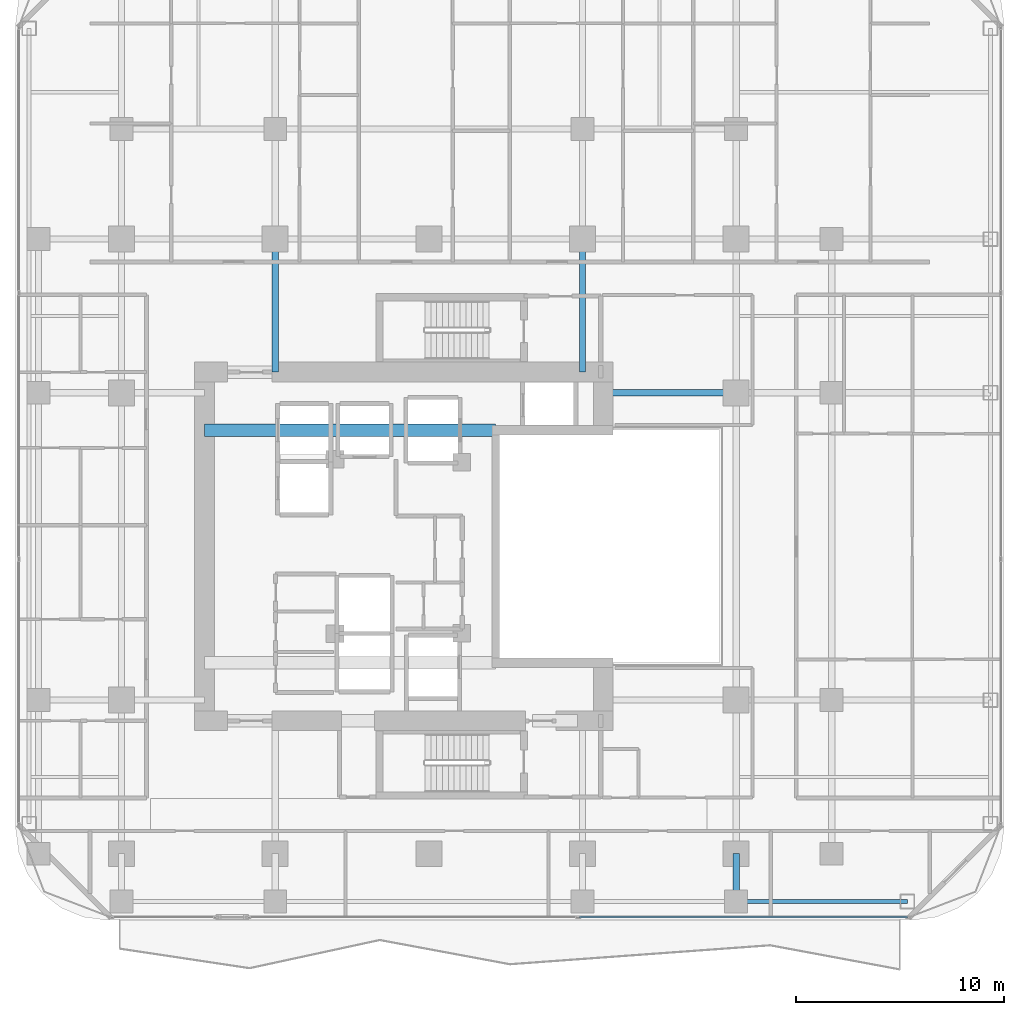
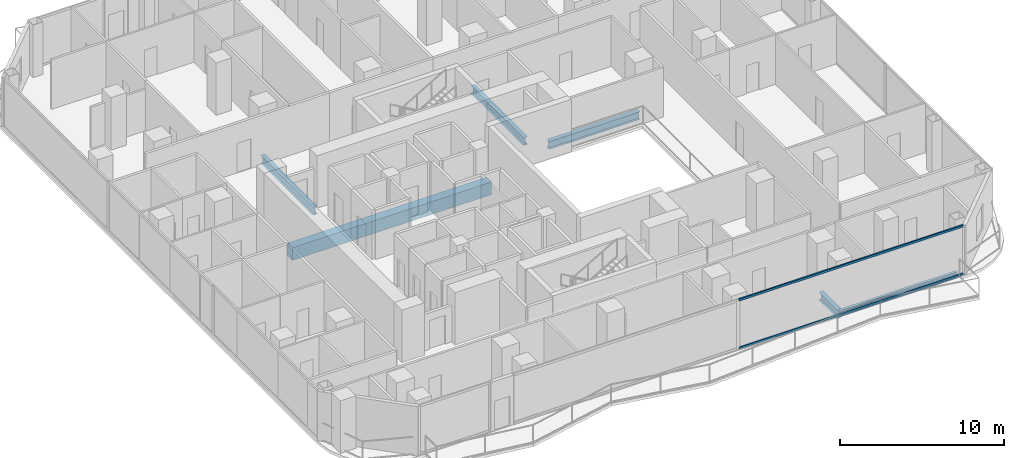
# One storey, part 8 of 26: 6 beams, 2 members, 1 element without a shape of its own.
"""IFC4 building model written with IfcOpenShell, lengths in metres."""

from ifc_helpers import new_model, si_unit, direction, frame, origin, origin_2d, place, context, subcontext, project, spatial, rectangle, hollow_rectangle, i_section, extrude, material, layer, layer_set, material_profile, profile_set, type_object, element, aggregate, save


model = new_model("IFC4")

# Units and contexts
model_context = context("Model", 3, precision=1e-05, world=origin(), true_north=direction((0.0, 1.0)))
body_context = subcontext(model_context, "Body", "Model", "MODEL_VIEW")
ifc_project = project(units=[si_unit("LENGTHUNIT", "METRE"), si_unit("AREAUNIT", "SQUARE_METRE"), si_unit("VOLUMEUNIT", "CUBIC_METRE"), si_unit("PLANEANGLEUNIT", "RADIAN"), si_unit("MASSUNIT", "GRAM", prefix="KILO")], contexts=[model_context])

# Site, building, storey
site_placement = place(None, origin())
site = spatial("IfcSite", under=ifc_project, at=site_placement, CompositionType="ELEMENT")
building_placement = place(site_placement, origin())
building = spatial("IfcBuilding", under=site, at=building_placement, Name="Khorvyn Point Tower", CompositionType="ELEMENT")
storey_placement = place(building_placement, frame((0.0, 0.0, 113.39990234375)))
storey = spatial("IfcBuildingStorey", under=building, at=storey_placement, Name="L28", CompositionType="ELEMENT", Elevation=113.39990234375)

# Curtain wall, members
ifc_material_1 = material(Name="Anodised aluminium 6063-T6 and laminated Low-E glass", Category="aluminium")
ifc_layer = layer(ifc_material_1, 0.18994140625)
ifc_layer_set = layer_set([ifc_layer], Name="Stick-Built Acoustic Curtain Wall CW-SYS-03")
curtain_wall_type = type_object("IfcCurtainWallType", Name="Stick-Built Acoustic Curtain Wall CW-SYS-03", PredefinedType="NOTDEFINED", material=ifc_layer_set)
curtain_wall_placement = place(storey_placement, origin())
curtain_wall = element("IfcCurtainWall", 1, at=curtain_wall_placement, inside=storey, type_object=curtain_wall_type, Name="Curtain Wall", PredefinedType="NOTDEFINED")
ifc_material_2 = material(Name="Anodised aluminium 6063-T6", Category="aluminium")
ifc_material_profile_1 = material_profile(ifc_material_2, hollow_rectangle(XDim=0.10009765625, YDim=0.159912109375, WallThickness=0.00439453125, at=origin_2d()))
ifc_profile_set_1 = profile_set([ifc_material_profile_1], Name="Anodised aluminium 6063-T6 ALU-TRN-100x160")
member_type = type_object("IfcMemberType", Name="Anodised Aluminium 6063-T6 Transom ALU-TRN-100x160", PredefinedType="USERDEFINED", material=ifc_profile_set_1)
member_1_placement = place(storey_placement, frame((23.050048828125, -17.85009765625, 0.050048828125), z_axis=(-1.0, 0.0, 0.0), x_axis=(0.0, -1.0, 0.0)))
member_1 = element("IfcMember", 2, at=member_1_placement, type_object=member_type, Name="Transom", ObjectType="TRANSOM", PredefinedType="USERDEFINED", context=body_context, shape_type="SweptSolid", body=[
    extrude(hollow_rectangle(XDim=0.10009765625, YDim=0.159912109375, WallThickness=0.00439453125, at=origin_2d()), origin(), (0.0, 0.0, 1.0), 15.800537109375),
])
member_2_placement = place(storey_placement, frame((23.050048828125, -17.85009765625, 3.630126953125), z_axis=(-1.0, 0.0, 0.0), x_axis=(0.0, -1.0, 0.0)))
member_2 = element("IfcMember", 3, at=member_2_placement, type_object=member_type, Name="Transom", ObjectType="TRANSOM", PredefinedType="USERDEFINED", context=body_context, shape_type="SweptSolid", body=[
    extrude(hollow_rectangle(XDim=0.10009765625, YDim=0.159912109375, WallThickness=0.00439453125, at=origin_2d()), origin(), (0.0, 0.0, 1.0), 15.800537109375),
])
aggregate(curtain_wall, [member_1, member_2])

# Beams
ifc_material_3 = material(Name="Concrete C50/60", Category="concrete")
ifc_material_profile_2 = material_profile(ifc_material_3, rectangle(XDim=0.60009765625, YDim=0.949951171875, at=origin_2d()))
ifc_profile_set_2 = profile_set([ifc_material_profile_2], Name="Concrete C50/60 RC600x950")
beam_type_1 = type_object("IfcBeamType", Name="Concrete C50/60 Beam RC600x950", PredefinedType="BEAM", material=ifc_profile_set_2)
beam_1_placement = place(storey_placement, frame((-10.800048828125, 5.60009765625, -0.69482421875), z_axis=(1.0, 0.0, 0.0), x_axis=(0.0, 1.0, 0.0)))
element("IfcBeam", 4, at=beam_1_placement, inside=storey, type_object=beam_type_1, Name="L28 Core Internal Tie Girder N", PredefinedType="BEAM", context=body_context, shape_type="SweptSolid", body=[
    extrude(rectangle(XDim=0.60009765625, YDim=0.949951171875, at=origin_2d()), origin(), (0.0, 0.0, 1.0), 14.02001953125),
])
ifc_material_4 = material(Name="Steel S355", Category="steel")
ifc_material_profile_3 = material_profile(ifc_material_4, i_section(OverallWidth=0.300048828125, OverallDepth=0.587890625, WebThickness=0.011962890625, FlangeThickness=0.02001953125, at=origin_2d()))
ifc_profile_set_3 = profile_set([ifc_material_profile_3], Name="Steel S355 H588x300x12x20")
beam_type_2 = type_object("IfcBeamType", Name="Steel S355 Beam H588x300x12x20", PredefinedType="BEAM", material=ifc_profile_set_3)
beam_2_placement = place(storey_placement, frame((8.39990234375, 7.39990234375, -0.513916015625), z_axis=(1.0, 0.0, 0.0), x_axis=(0.0, 1.0, 0.0)))
element("IfcBeam", 5, at=beam_2_placement, inside=storey, type_object=beam_type_2, Name="Beam", PredefinedType="BEAM", context=body_context, shape_type="SweptSolid", body=[
    extrude(i_section(OverallWidth=0.300048828125, OverallDepth=0.587890625, WebThickness=0.011962890625, FlangeThickness=0.02001953125, at=origin_2d()), origin(), (0.0, 0.0, 1.0), 6.400146484375),
])
beam_3_placement = place(storey_placement, frame((14.800048828125, -17.10009765625, -0.513916015625), z_axis=(0.0, 1.0, 0.0), x_axis=(-1.0, 0.0, 0.0)))
element("IfcBeam", 6, at=beam_3_placement, inside=storey, type_object=beam_type_2, Name="Beam", PredefinedType="BEAM", context=body_context, shape_type="SweptSolid", body=[
    extrude(i_section(OverallWidth=0.300048828125, OverallDepth=0.587890625, WebThickness=0.011962890625, FlangeThickness=0.02001953125, at=origin_2d()), origin(), (0.0, 0.0, 1.0), 2.300048828125),
])
for number, where, z_axis, x_axis, name in (
    (7, (-7.39990234375, 8.39990234375, -0.513916015625), (0.0, 1.0, 0.0), (-1.0, 0.0, 0.0), "Beam"),
    (8, (7.39990234375, 8.39990234375, -0.513916015625), (0.0, 1.0, 0.0), (-1.0, 0.0, 0.0), "Beam"),
):
    element("IfcBeam", number, at=place(storey_placement, frame(where, z_axis=z_axis, x_axis=x_axis)), inside=storey, type_object=beam_type_2, Name=name, PredefinedType="BEAM", context=body_context, shape_type="SweptSolid", body=[
        extrude(i_section(OverallWidth=0.300048828125, OverallDepth=0.587890625, WebThickness=0.011962890625, FlangeThickness=0.02001953125, at=origin_2d()), origin(), (0.0, 0.0, 1.0), 6.400146484375),
    ])
ifc_material_profile_4 = material_profile(ifc_material_4, i_section(OverallWidth=0.199951171875, OverallDepth=0.449951171875, WebThickness=0.009033203125, FlangeThickness=0.013916015625, at=origin_2d()))
ifc_profile_set_4 = profile_set([ifc_material_profile_4], Name="Steel S355 H450x200x9x14")
beam_type_3 = type_object("IfcBeamType", Name="Steel S355 Spandrel H450x200x9x14", PredefinedType="SPANDREL", material=ifc_profile_set_4)
beam_4_placement = place(storey_placement, frame((14.800048828125, -17.10009765625, -0.44482421875), z_axis=(1.0, 0.0, 0.0), x_axis=(0.0, 1.0, 0.0)))
element("IfcBeam", 9, at=beam_4_placement, inside=storey, type_object=beam_type_3, Name="Beam", PredefinedType="SPANDREL", context=body_context, shape_type="SweptSolid", body=[
    extrude(i_section(OverallWidth=0.199951171875, OverallDepth=0.449951171875, WebThickness=0.009033203125, FlangeThickness=0.013916015625, at=origin_2d()), origin(), (0.0, 0.0, 1.0), 8.25),
])

save(model, "model.ifc")
